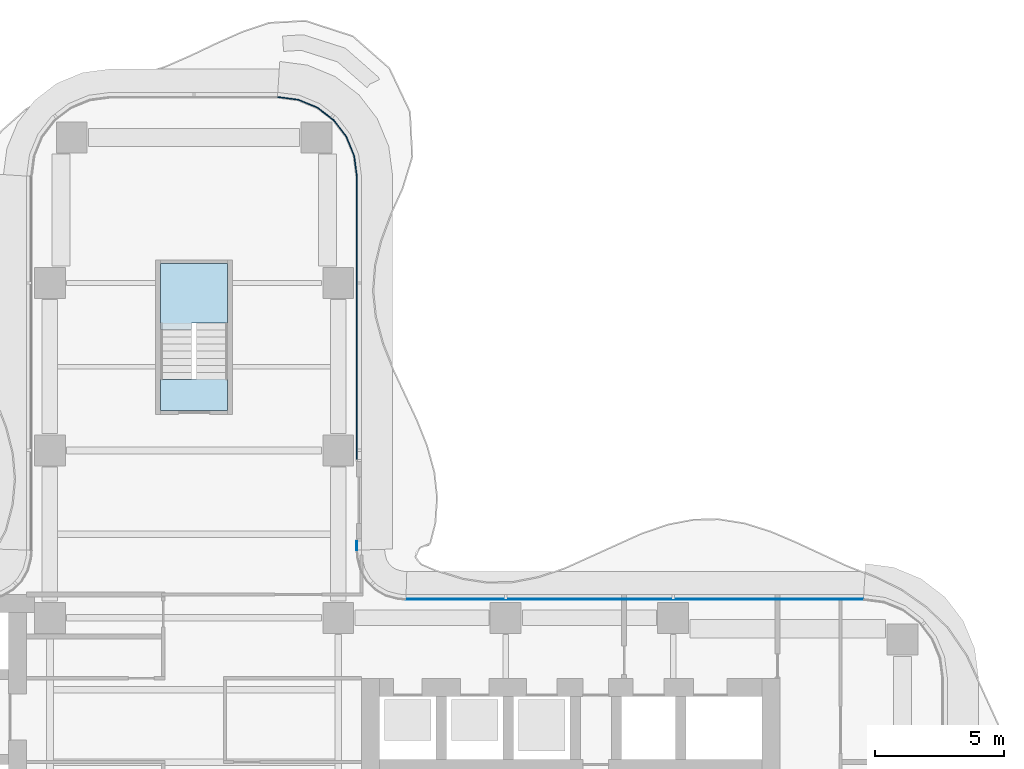
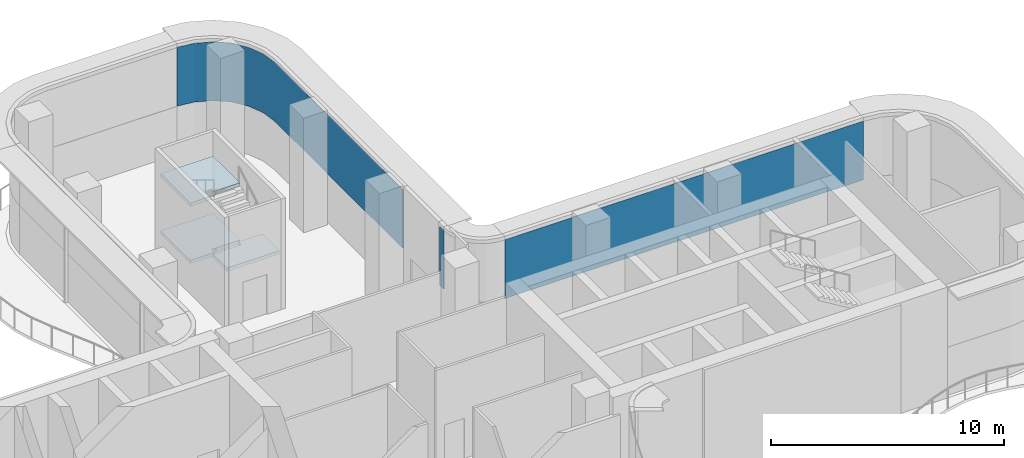
# One storey, part 11 of 19: 3 plates, 3 slabs, 4 elements without a shape of their own.
"""IFC4 building model written with IfcOpenShell, lengths in metres."""

from ifc_helpers import new_model, si_unit, direction, frame, origin, place, context, subcontext, project, spatial, polyline, outline, extrude, source, transform, mapped, material, layer, layer_set, type_object, element, aggregate, save


model = new_model("IFC4")

# Units and contexts
model_context = context("Model", 3, precision=1e-05, world=origin(), true_north=direction((0.0, 1.0)))
body_context = subcontext(model_context, "Body", "Model", "MODEL_VIEW")
ifc_project = project(units=[si_unit("LENGTHUNIT", "METRE"), si_unit("AREAUNIT", "SQUARE_METRE"), si_unit("VOLUMEUNIT", "CUBIC_METRE"), si_unit("PLANEANGLEUNIT", "RADIAN"), si_unit("MASSUNIT", "GRAM", prefix="KILO")], contexts=[model_context])

# Site, building, storey
site_placement = place(None, origin())
site = spatial("IfcSite", under=ifc_project, at=site_placement, CompositionType="ELEMENT")
building_placement = place(site_placement, origin())
building = spatial("IfcBuilding", under=site, at=building_placement, Name="Trellis Farm Tower", CompositionType="ELEMENT")
storey_placement = place(building_placement, frame((0.0, 0.0, 156.0)))
storey = spatial("IfcBuildingStorey", under=building, at=storey_placement, Name="L33", CompositionType="ELEMENT", Elevation=156.0)

# Curtain wall, plate
ifc_material_1 = material(Name="Aluminium and glass curtain wall", Category="aluminium")
ifc_layer_1 = layer(ifc_material_1, 0.196044921875)
ifc_layer_set_1 = layer_set([ifc_layer_1], Name="LOUVRED GLASS CURTAIN WALL CW6")
curtain_wall_type = type_object("IfcCurtainWallType", Name="LOUVRED GLASS CURTAIN WALL CW6", PredefinedType="NOTDEFINED", material=ifc_layer_set_1)
placement_1 = place(storey_placement, origin())
curtain_wall_1 = element("IfcCurtainWall", 1, at=placement_1, inside=storey, type_object=curtain_wall_type, Name="CW6 009", PredefinedType="NOTDEFINED")
ifc_material_2 = material(Name="Clear insulated glass", Category="glass")
ifc_layer_2 = layer(ifc_material_2, 0.035888671875)
ifc_layer_set_2 = layer_set([ifc_layer_2], Name="CW6 GLASS PANEL 36")
plate_type = type_object("IfcPlateType", Name="CW6 GLASS PANEL 36", PredefinedType="CURTAIN_PANEL", material=ifc_layer_set_2)
placement_2 = place(storey_placement, frame((0.0, 0.0, 2.52001953125)))
plate_1 = element("IfcPlate", 2, at=placement_2, type_object=plate_type, Name="PL6 009", PredefinedType="CURTAIN_PANEL", context=body_context, shape_type="SweptSolid", body=[
    extrude(outline(polyline([(25.989501953125, 6.340087890625), (8.22607421875, 6.340087890625), (8.22509765625, 6.303955078125), (25.987060546875, 6.303955078125), (25.989501953125, 6.340087890625)])), origin(), (0.0, 0.0, 1.0), 3.080078125),
])
aggregate(curtain_wall_1, [plate_1])

curtain_wall_2 = element("IfcCurtainWall", 3, at=placement_1, inside=storey, type_object=curtain_wall_type, Name="CW6 011", PredefinedType="NOTDEFINED")
plate_2 = element("IfcPlate", 4, at=placement_2, type_object=plate_type, Name="PL6 011", PredefinedType="CURTAIN_PANEL", context=body_context, shape_type="SweptSolid", body=[
    extrude(outline(polyline([(6.340087890625, 8.22607421875), (6.340087890625, 8.57568359375), (6.303955078125, 8.57568359375), (6.303955078125, 8.22509765625), (6.340087890625, 8.22607421875)])), origin(), (0.0, 0.0, 1.0), 3.080078125),
])
aggregate(curtain_wall_2, [plate_2])

curtain_wall_3 = element("IfcCurtainWall", 5, at=placement_1, inside=storey, type_object=curtain_wall_type, Name="CW6 012", PredefinedType="NOTDEFINED")
plate_3 = element("IfcPlate", 6, at=placement_2, type_object=plate_type, Name="PL6 012", PredefinedType="CURTAIN_PANEL", context=body_context, shape_type="SweptSolid", body=[
    extrude(outline(polyline([(6.340087890625, 11.755615234375), (6.340087890625, 22.739501953125), (6.2333984375, 23.54931640625), (5.9248046875, 24.294189453125), (5.43408203125, 24.93408203125), (4.794189453125, 25.4248046875), (4.04931640625, 25.7333984375), (3.239501953125, 25.840087890625), (3.237060546875, 25.803955078125), (4.0400390625, 25.6982421875), (4.776123046875, 25.393310546875), (5.408203125, 24.908203125), (5.893310546875, 24.276123046875), (6.1982421875, 23.5400390625), (6.303955078125, 22.737060546875), (6.303955078125, 11.755615234375), (6.340087890625, 11.755615234375)])), origin(), (0.0, 0.0, 1.0), 3.080078125),
])
aggregate(curtain_wall_3, [plate_3])

# Stair, slabs
ifc_material_3 = material(Name="Concrete C50/60", Category="concrete")
stair_type = type_object("IfcStairType", Name="CORE EXIT STAIR 36 RISERS 167 MM", PredefinedType="HALF_TURN_STAIR", material=ifc_material_3)
stair = element("IfcStair", 7, at=placement_1, inside=storey, type_object=stair_type, Name="Exit stair N", PredefinedType="HALF_TURN_STAIR")
ifc_layer_3 = layer(ifc_material_3, 0.179931640625)
ifc_layer_set_3 = layer_set([ifc_layer_3], Name="CORE STAIR LANDING 180 CONCRETE C50/60")
slab_type = type_object("IfcSlabType", Name="CORE STAIR LANDING 180 CONCRETE C50/60", PredefinedType="LANDING", material=ifc_layer_set_3)
shared_shape_1 = source(origin(), body_context, "Body", "SweptSolid", [
    extrude(outline(polyline([(-0.10009765625, 16.79052734375), (-1.300048828125, 16.79052734375), (-1.300048828125, 17.050048828125), (-1.300048828125, 19.35009765625), (1.300048828125, 19.35009765625), (1.300048828125, 17.050048828125), (1.300048828125, 17.0400390625), (0.10009765625, 17.0400390625), (0.10009765625, 17.050048828125), (-0.10009765625, 17.050048828125), (-0.10009765625, 16.79052734375)])), origin(), (0.0, 0.0, 1.0), 0.179931640625),
])
slab_1_placement = place(storey_placement, frame((0.0, 0.0, 1.320068359375)))
slab_1 = element("IfcSlab", 8, at=slab_1_placement, type_object=slab_type, Name="STN landing 1", PredefinedType="LANDING", context=body_context, shape_type="MappedRepresentation", body=[
    mapped(shared_shape_1, transform((0.0, 0.0, 0.0))),
])
slab_2_placement = place(storey_placement, frame((0.0, 0.0, 4.320068359375)))
slab_2 = element("IfcSlab", 9, at=slab_2_placement, type_object=slab_type, Name="STN landing 3", PredefinedType="LANDING", context=body_context, shape_type="MappedRepresentation", body=[
    mapped(shared_shape_1, transform((0.0, 0.0, 0.0))),
])
shared_shape_2 = source(origin(), body_context, "Body", "SweptSolid", [
    extrude(outline(polyline([(1.300048828125, 13.64990234375), (-1.300048828125, 13.64990234375), (-1.300048828125, 14.85009765625), (-1.300048828125, 14.860107421875), (-0.10009765625, 14.860107421875), (-0.10009765625, 14.85009765625), (0.10009765625, 14.85009765625), (0.10009765625, 15.109375), (1.300048828125, 15.109375), (1.300048828125, 14.85009765625), (1.300048828125, 13.64990234375)])), origin(), (0.0, 0.0, 1.0), 0.179931640625),
])
slab_3_placement = place(storey_placement, frame((0.0, 0.0, 2.820068359375)))
slab_3 = element("IfcSlab", 10, at=slab_3_placement, type_object=slab_type, Name="STN landing 2", PredefinedType="LANDING", context=body_context, shape_type="MappedRepresentation", body=[
    mapped(shared_shape_2, transform((0.0, 0.0, 0.0))),
])
aggregate(stair, [slab_1, slab_3, slab_2])

save(model, "model.ifc")
